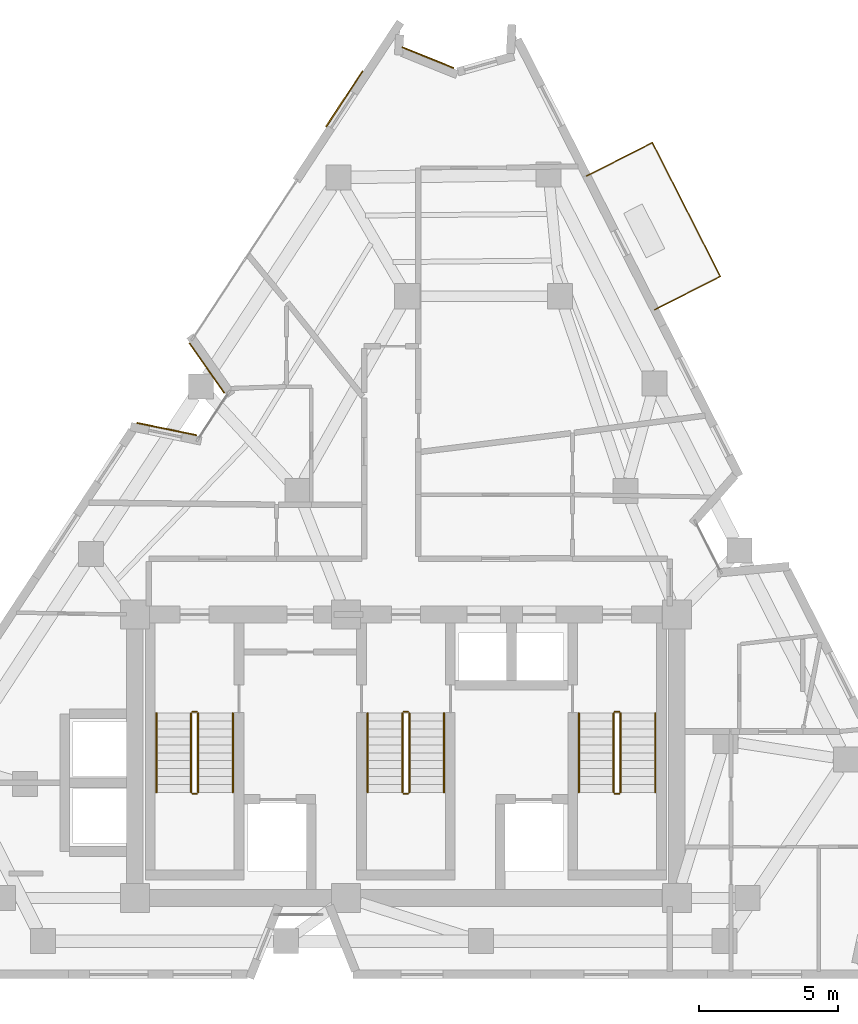
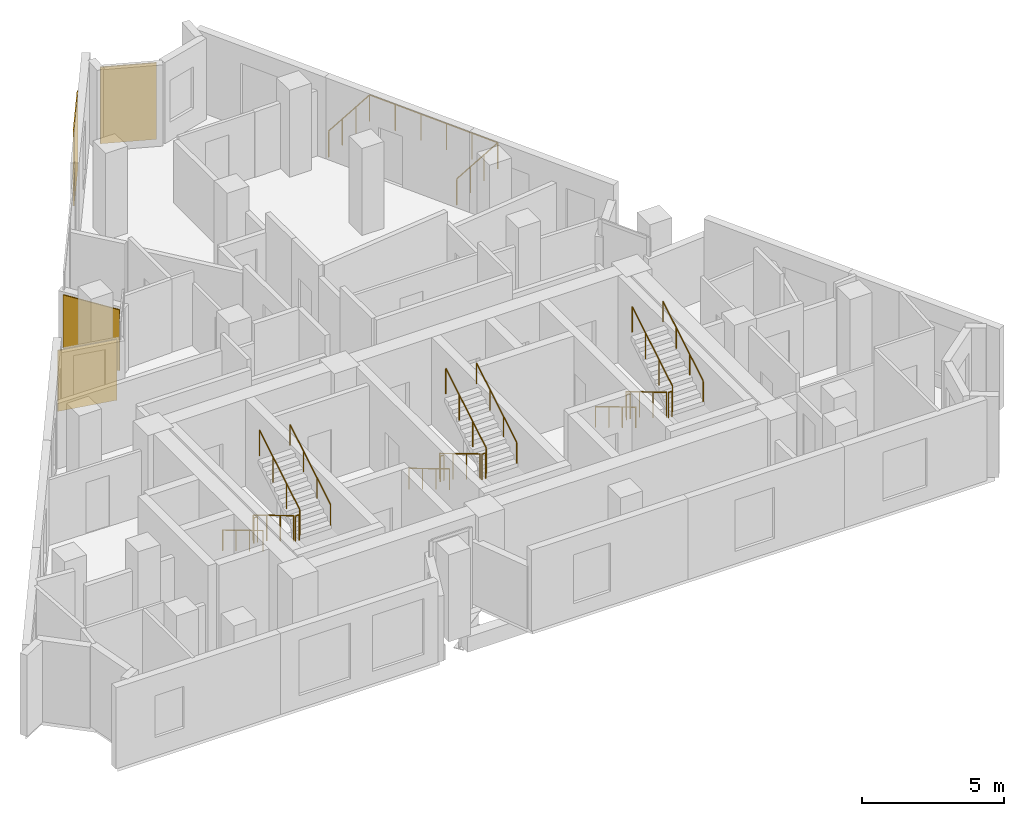
# One storey, part 9 of 9: 19 railings, 4 coverings.
"""IFC4 building model written with IfcOpenShell, lengths in metres."""

from ifc_helpers import new_model, si_unit, direction, frame, origin, origin_2d, place, context, subcontext, project, spatial, rectangle, circle, extrude, material, layer, layer_set, type_object, element, save


model = new_model("IFC4")

# Units and contexts
model_context = context("Model", 3, precision=1e-05, world=origin(), true_north=direction((0.0, 1.0)))
body_context = subcontext(model_context, "Body", "Model", "MODEL_VIEW")
ifc_project = project(units=[si_unit("LENGTHUNIT", "METRE"), si_unit("AREAUNIT", "SQUARE_METRE"), si_unit("VOLUMEUNIT", "CUBIC_METRE"), si_unit("PLANEANGLEUNIT", "RADIAN"), si_unit("MASSUNIT", "GRAM", prefix="KILO")], contexts=[model_context])

# Site, building, storey
site_placement = place(None, origin())
site = spatial("IfcSite", under=ifc_project, at=site_placement, CompositionType="ELEMENT")
building_placement = place(site_placement, origin())
building = spatial("IfcBuilding", under=site, at=building_placement, Name="Almagre Mirador Tower", CompositionType="ELEMENT")
storey_placement = place(building_placement, frame((0.0, 0.0, 237.0)))
storey = spatial("IfcBuildingStorey", under=building, at=storey_placement, Name="L61", CompositionType="ELEMENT", Elevation=237.0)

# Coverings
ifc_material_1 = material(Name="Almagre terracotta architectural cladding", Category="masonry")
ifc_layer = layer(ifc_material_1, 0.044921875)
ifc_layer_set = layer_set([ifc_layer], Name="Almagre terracotta architectural cladding")
covering_type = type_object("IfcCoveringType", Name="COV-CLAD-ALMAGRE", PredefinedType="CLADDING", material=ifc_layer_set)
covering_1_placement = place(storey_placement, frame((28.69921875, 21.4208984375, 0.10009765625), z_axis=(0.0, 0.0, 1.0), x_axis=(0.979515545462, -0.201368558118, 0.0)))
element("IfcCovering", 1, at=covering_1_placement, inside=storey, type_object=covering_type, Name="L61 almagre terracotta pier cladding", PredefinedType="CLADDING", context=body_context, shape_type="SweptSolid", body=[
    extrude(rectangle(XDim=2.194091796875, YDim=0.044921875, at=origin_2d()), origin(), (0.0, 0.0, 1.0), 2.625),
])
covering_2_placement = place(storey_placement, frame((30.14013671875, 23.614501953125, 0.10009765625), z_axis=(0.0, 0.0, 1.0), x_axis=(-0.573590733164, 0.819142033367, 0.0)))
element("IfcCovering", 2, at=covering_2_placement, inside=storey, type_object=covering_type, Name="L61 almagre terracotta pier cladding", PredefinedType="CLADDING", context=body_context, shape_type="SweptSolid", body=[
    extrude(rectangle(XDim=2.193115234375, YDim=0.044921875, at=origin_2d()), origin(), (0.0, 0.0, 1.0), 2.625),
])
covering_3_placement = place(storey_placement, frame((35.08837890625, 33.302734375, 0.10009765625), z_axis=(0.0, 0.0, 1.0), x_axis=(0.549037405505, 0.835797778985, 0.0)))
element("IfcCovering", 3, at=covering_3_placement, inside=storey, type_object=covering_type, Name="L61 almagre terracotta pier cladding", PredefinedType="CLADDING", context=body_context, shape_type="SweptSolid", body=[
    extrude(rectangle(XDim=2.39990234375, YDim=0.044921875, at=origin_2d()), origin(), (0.0, 0.0, 1.0), 3.300048828125),
])
covering_4_placement = place(storey_placement, frame((38.09375, 34.785400390625, 0.10009765625), z_axis=(0.0, 0.0, 1.0), x_axis=(0.927066122682, -0.374897858324, 0.0)))
element("IfcCovering", 4, at=covering_4_placement, inside=storey, type_object=covering_type, Name="L61 almagre terracotta pier cladding", PredefinedType="CLADDING", context=body_context, shape_type="SweptSolid", body=[
    extrude(rectangle(XDim=2.0009765625, YDim=0.044921875, at=origin_2d()), origin(), (0.0, 0.0, 1.0), 3.300048828125),
])

# Railings
ifc_material_2 = material(Name="Black anodized aluminium", Category="aluminium")
railing_type_1 = type_object("IfcRailingType", Name="RLG-BAL-1150", PredefinedType="BALUSTRADE", material=ifc_material_2)
railing_1_placement = place(storey_placement, frame((46.2529296875, 25.712890625, 0.0)))
element("IfcRailing", 5, at=railing_1_placement, inside=storey, type_object=railing_type_1, Name="L61 east balcony balustrade 1", PredefinedType="BALUSTRADE", context=body_context, shape_type="SweptSolid", body=[
    extrude(circle(Radius=0.02392578125, at=origin_2d()), frame((0.0, 0.0, 1.1259765625), z_axis=(0.891515078461, 0.452991020746, 0.0), x_axis=(-0.452991020746, 0.891515078461, 0.0)), (0.0, 0.0, 1.0), 2.6494140625),
    extrude(circle(Radius=0.02392578125, at=origin_2d()), frame((2.362060546875, 1.2001953125, 1.1259765625), z_axis=(-0.452847770217, 0.891587851537, 0.0), x_axis=(-0.891587851537, -0.452847770217, 0.0)), (0.0, 0.0, 1.0), 5.3994140625),
    extrude(circle(Radius=0.02392578125, at=origin_2d()), frame((-0.0830078125, 6.01416015625, 1.1259765625), z_axis=(-0.891627865532, -0.452768980173, 0.0), x_axis=(0.452768980173, -0.891627865532, 0.0)), (0.0, 0.0, 1.0), 2.650146484375),
    extrude(circle(Radius=0.02099609375, at=origin_2d()), origin(), (0.0, 0.0, 1.0), 1.101806640625),
    extrude(circle(Radius=0.02099609375, at=origin_2d()), frame((0.787353515625, 0.400146484375, 0.0)), (0.0, 0.0, 1.0), 1.101806640625),
    extrude(circle(Radius=0.02099609375, at=origin_2d()), frame((1.57470703125, 0.800048828125, 0.0)), (0.0, 0.0, 1.0), 1.101806640625),
    extrude(circle(Radius=0.02099609375, at=origin_2d()), frame((2.362060546875, 1.2001953125, 0.0)), (0.0, 0.0, 1.0), 1.101806640625),
    extrude(circle(Radius=0.02099609375, at=origin_2d()), frame((1.873046875, 2.1630859375, 0.0)), (0.0, 0.0, 1.0), 1.101806640625),
    extrude(circle(Radius=0.02099609375, at=origin_2d()), frame((1.384033203125, 3.125732421875, 0.0)), (0.0, 0.0, 1.0), 1.101806640625),
    extrude(circle(Radius=0.02099609375, at=origin_2d()), frame((0.89501953125, 4.088623046875, 0.0)), (0.0, 0.0, 1.0), 1.101806640625),
    extrude(circle(Radius=0.02099609375, at=origin_2d()), frame((0.406005859375, 5.05126953125, 0.0)), (0.0, 0.0, 1.0), 1.101806640625),
    extrude(circle(Radius=0.02099609375, at=origin_2d()), frame((-0.0830078125, 6.01416015625, 0.0)), (0.0, 0.0, 1.0), 1.101806640625),
    extrude(circle(Radius=0.02099609375, at=origin_2d()), frame((-0.87060546875, 5.6142578125, 0.0)), (0.0, 0.0, 1.0), 1.101806640625),
    extrude(circle(Radius=0.02099609375, at=origin_2d()), frame((-1.658447265625, 5.214111328125, 0.0)), (0.0, 0.0, 1.0), 1.101806640625),
    extrude(circle(Radius=0.02099609375, at=origin_2d()), frame((-2.446044921875, 4.814208984375, 0.0)), (0.0, 0.0, 1.0), 1.101806640625),
])
ifc_material_3 = material(Name="Painted galvanized steel", Category="steel")
railing_type_2 = type_object("IfcRailingType", Name="RLG-GRD-1100", PredefinedType="GUARDRAIL", material=ifc_material_3)
railing_2_placement = place(storey_placement, frame((29.574951171875, 11.199951171875, 0.17041015625)))
element("IfcRailing", 6, at=railing_2_placement, inside=storey, type_object=railing_type_2, Name="L61 ST-1 stair guard 1", PredefinedType="GUARDRAIL", context=body_context, shape_type="SweptSolid", body=[
    extrude(circle(Radius=0.02392578125, at=origin_2d()), frame((0.0, 0.0, 1.09619140625), z_axis=(0.0, -0.858199205511, 0.513316786848), x_axis=(1.0, 0.0, 0.0)), (0.0, 0.0, 1.0), 3.32080078125),
    extrude(circle(Radius=0.02099609375, at=origin_2d()), origin(), (0.0, 0.0, 1.0), 1.072021484375),
    extrude(circle(Radius=0.02099609375, at=origin_2d()), frame((0.0, -0.949951171875, 0.568115234375)), (0.0, 0.0, 1.0), 1.072021484375),
    extrude(circle(Radius=0.02099609375, at=origin_2d()), frame((0.0, -1.89990234375, 1.136474609375)), (0.0, 0.0, 1.0), 1.072021484375),
    extrude(circle(Radius=0.02099609375, at=origin_2d()), frame((0.0, -2.849853515625, 1.70458984375)), (0.0, 0.0, 1.0), 1.072021484375),
])
railing_3_placement = place(storey_placement, frame((29.625, 8.300048828125, 1.875)))
element("IfcRailing", 7, at=railing_3_placement, inside=storey, type_object=railing_type_2, Name="L61 ST-1 stair guard 2", PredefinedType="GUARDRAIL", context=body_context, shape_type="SweptSolid", body=[
    extrude(circle(Radius=0.02392578125, at=origin_2d()), frame((0.0, 0.0, 1.09619140625), z_axis=(1.0, 0.0, 0.0), x_axis=(0.0, 1.0, 0.0)), (0.0, 0.0, 1.0), 0.14990234375),
    extrude(circle(Radius=0.02099609375, at=origin_2d()), origin(), (0.0, 0.0, 1.0), 1.072021484375),
    extrude(circle(Radius=0.02099609375, at=origin_2d()), frame((0.14990234375, 0.0, 0.0)), (0.0, 0.0, 1.0), 1.072021484375),
])
railing_4_placement = place(storey_placement, frame((29.824951171875, 8.35009765625, 2.04541015625)))
element("IfcRailing", 8, at=railing_4_placement, inside=storey, type_object=railing_type_2, Name="L61 ST-1 stair guard 3", PredefinedType="GUARDRAIL", context=body_context, shape_type="SweptSolid", body=[
    extrude(circle(Radius=0.02392578125, at=origin_2d()), frame((0.0, 0.0, 1.09619140625), z_axis=(0.0, 0.858199205511, 0.513316786848), x_axis=(-1.0, 0.0, 0.0)), (0.0, 0.0, 1.0), 3.32080078125),
    extrude(circle(Radius=0.02099609375, at=origin_2d()), origin(), (0.0, 0.0, 1.0), 1.072021484375),
    extrude(circle(Radius=0.02099609375, at=origin_2d()), frame((0.0, 0.949951171875, 0.568115234375)), (0.0, 0.0, 1.0), 1.072021484375),
    extrude(circle(Radius=0.02099609375, at=origin_2d()), frame((0.0, 1.89990234375, 1.136474609375)), (0.0, 0.0, 1.0), 1.072021484375),
    extrude(circle(Radius=0.02099609375, at=origin_2d()), frame((0.0, 2.849853515625, 1.70458984375)), (0.0, 0.0, 1.0), 1.072021484375),
])
railing_5_placement = place(storey_placement, frame((29.625, 11.25, 0.0)))
element("IfcRailing", 9, at=railing_5_placement, inside=storey, type_object=railing_type_2, Name="L61 ST-1 stair guard 4", PredefinedType="GUARDRAIL", context=body_context, shape_type="SweptSolid", body=[
    extrude(circle(Radius=0.02392578125, at=origin_2d()), frame((0.0, 0.0, 1.09619140625), z_axis=(1.0, 0.0, 0.0), x_axis=(0.0, 1.0, 0.0)), (0.0, 0.0, 1.0), 0.14990234375),
    extrude(circle(Radius=0.02099609375, at=origin_2d()), origin(), (0.0, 0.0, 1.0), 1.072021484375),
    extrude(circle(Radius=0.02099609375, at=origin_2d()), frame((0.14990234375, 0.0, 0.0)), (0.0, 0.0, 1.0), 1.072021484375),
])
railing_6_placement = place(storey_placement, frame((37.175048828125, 11.199951171875, 0.17041015625)))
element("IfcRailing", 10, at=railing_6_placement, inside=storey, type_object=railing_type_2, Name="L61 ST-2 stair guard 1", PredefinedType="GUARDRAIL", context=body_context, shape_type="SweptSolid", body=[
    extrude(circle(Radius=0.02392578125, at=origin_2d()), frame((0.0, 0.0, 1.09619140625), z_axis=(0.0, -0.858199205511, 0.513316786848), x_axis=(1.0, 0.0, 0.0)), (0.0, 0.0, 1.0), 3.32080078125),
    extrude(circle(Radius=0.02099609375, at=origin_2d()), origin(), (0.0, 0.0, 1.0), 1.072021484375),
    extrude(circle(Radius=0.02099609375, at=origin_2d()), frame((0.0, -0.949951171875, 0.568115234375)), (0.0, 0.0, 1.0), 1.072021484375),
    extrude(circle(Radius=0.02099609375, at=origin_2d()), frame((0.0, -1.89990234375, 1.136474609375)), (0.0, 0.0, 1.0), 1.072021484375),
    extrude(circle(Radius=0.02099609375, at=origin_2d()), frame((0.0, -2.849853515625, 1.70458984375)), (0.0, 0.0, 1.0), 1.072021484375),
])
railing_7_placement = place(storey_placement, frame((37.22509765625, 8.300048828125, 1.875)))
element("IfcRailing", 11, at=railing_7_placement, inside=storey, type_object=railing_type_2, Name="L61 ST-2 stair guard 2", PredefinedType="GUARDRAIL", context=body_context, shape_type="SweptSolid", body=[
    extrude(circle(Radius=0.02392578125, at=origin_2d()), frame((0.0, 0.0, 1.09619140625), z_axis=(1.0, 0.0, 0.0), x_axis=(0.0, 1.0, 0.0)), (0.0, 0.0, 1.0), 0.14990234375),
    extrude(circle(Radius=0.02099609375, at=origin_2d()), origin(), (0.0, 0.0, 1.0), 1.072021484375),
    extrude(circle(Radius=0.02099609375, at=origin_2d()), frame((0.14990234375, 0.0, 0.0)), (0.0, 0.0, 1.0), 1.072021484375),
])
railing_8_placement = place(storey_placement, frame((37.425048828125, 8.35009765625, 2.04541015625)))
element("IfcRailing", 12, at=railing_8_placement, inside=storey, type_object=railing_type_2, Name="L61 ST-2 stair guard 3", PredefinedType="GUARDRAIL", context=body_context, shape_type="SweptSolid", body=[
    extrude(circle(Radius=0.02392578125, at=origin_2d()), frame((0.0, 0.0, 1.09619140625), z_axis=(0.0, 0.858199205511, 0.513316786848), x_axis=(-1.0, 0.0, 0.0)), (0.0, 0.0, 1.0), 3.32080078125),
    extrude(circle(Radius=0.02099609375, at=origin_2d()), origin(), (0.0, 0.0, 1.0), 1.072021484375),
    extrude(circle(Radius=0.02099609375, at=origin_2d()), frame((0.0, 0.949951171875, 0.568115234375)), (0.0, 0.0, 1.0), 1.072021484375),
    extrude(circle(Radius=0.02099609375, at=origin_2d()), frame((0.0, 1.89990234375, 1.136474609375)), (0.0, 0.0, 1.0), 1.072021484375),
    extrude(circle(Radius=0.02099609375, at=origin_2d()), frame((0.0, 2.849853515625, 1.70458984375)), (0.0, 0.0, 1.0), 1.072021484375),
])
railing_9_placement = place(storey_placement, frame((37.22509765625, 11.25, 0.0)))
element("IfcRailing", 13, at=railing_9_placement, inside=storey, type_object=railing_type_2, Name="L61 ST-2 stair guard 4", PredefinedType="GUARDRAIL", context=body_context, shape_type="SweptSolid", body=[
    extrude(circle(Radius=0.02392578125, at=origin_2d()), frame((0.0, 0.0, 1.09619140625), z_axis=(1.0, 0.0, 0.0), x_axis=(0.0, 1.0, 0.0)), (0.0, 0.0, 1.0), 0.14990234375),
    extrude(circle(Radius=0.02099609375, at=origin_2d()), origin(), (0.0, 0.0, 1.0), 1.072021484375),
    extrude(circle(Radius=0.02099609375, at=origin_2d()), frame((0.14990234375, 0.0, 0.0)), (0.0, 0.0, 1.0), 1.072021484375),
])
railing_10_placement = place(storey_placement, frame((44.77490234375, 11.199951171875, 0.17041015625)))
element("IfcRailing", 14, at=railing_10_placement, inside=storey, type_object=railing_type_2, Name="L61 ST-3 stair guard 1", PredefinedType="GUARDRAIL", context=body_context, shape_type="SweptSolid", body=[
    extrude(circle(Radius=0.02392578125, at=origin_2d()), frame((0.0, 0.0, 1.09619140625), z_axis=(0.0, -0.858199205511, 0.513316786848), x_axis=(1.0, 0.0, 0.0)), (0.0, 0.0, 1.0), 3.32080078125),
    extrude(circle(Radius=0.02099609375, at=origin_2d()), origin(), (0.0, 0.0, 1.0), 1.072021484375),
    extrude(circle(Radius=0.02099609375, at=origin_2d()), frame((0.0, -0.949951171875, 0.568115234375)), (0.0, 0.0, 1.0), 1.072021484375),
    extrude(circle(Radius=0.02099609375, at=origin_2d()), frame((0.0, -1.89990234375, 1.136474609375)), (0.0, 0.0, 1.0), 1.072021484375),
    extrude(circle(Radius=0.02099609375, at=origin_2d()), frame((0.0, -2.849853515625, 1.70458984375)), (0.0, 0.0, 1.0), 1.072021484375),
])
railing_11_placement = place(storey_placement, frame((44.824951171875, 8.300048828125, 1.875)))
element("IfcRailing", 15, at=railing_11_placement, inside=storey, type_object=railing_type_2, Name="L61 ST-3 stair guard 2", PredefinedType="GUARDRAIL", context=body_context, shape_type="SweptSolid", body=[
    extrude(circle(Radius=0.02392578125, at=origin_2d()), frame((0.0, 0.0, 1.09619140625), z_axis=(1.0, 0.0, 0.0), x_axis=(0.0, 1.0, 0.0)), (0.0, 0.0, 1.0), 0.150146484375),
    extrude(circle(Radius=0.02099609375, at=origin_2d()), origin(), (0.0, 0.0, 1.0), 1.072021484375),
    extrude(circle(Radius=0.02099609375, at=origin_2d()), frame((0.150146484375, 0.0, 0.0)), (0.0, 0.0, 1.0), 1.072021484375),
])
railing_12_placement = place(storey_placement, frame((45.02490234375, 8.35009765625, 2.04541015625)))
element("IfcRailing", 16, at=railing_12_placement, inside=storey, type_object=railing_type_2, Name="L61 ST-3 stair guard 3", PredefinedType="GUARDRAIL", context=body_context, shape_type="SweptSolid", body=[
    extrude(circle(Radius=0.02392578125, at=origin_2d()), frame((0.0, 0.0, 1.09619140625), z_axis=(0.0, 0.858199205511, 0.513316786848), x_axis=(-1.0, 0.0, 0.0)), (0.0, 0.0, 1.0), 3.32080078125),
    extrude(circle(Radius=0.02099609375, at=origin_2d()), origin(), (0.0, 0.0, 1.0), 1.072021484375),
    extrude(circle(Radius=0.02099609375, at=origin_2d()), frame((0.0, 0.949951171875, 0.568115234375)), (0.0, 0.0, 1.0), 1.072021484375),
    extrude(circle(Radius=0.02099609375, at=origin_2d()), frame((0.0, 1.89990234375, 1.136474609375)), (0.0, 0.0, 1.0), 1.072021484375),
    extrude(circle(Radius=0.02099609375, at=origin_2d()), frame((0.0, 2.849853515625, 1.70458984375)), (0.0, 0.0, 1.0), 1.072021484375),
])
railing_13_placement = place(storey_placement, frame((44.824951171875, 11.25, 0.0)))
element("IfcRailing", 17, at=railing_13_placement, inside=storey, type_object=railing_type_2, Name="L61 ST-3 stair guard 4", PredefinedType="GUARDRAIL", context=body_context, shape_type="SweptSolid", body=[
    extrude(circle(Radius=0.02392578125, at=origin_2d()), frame((0.0, 0.0, 1.09619140625), z_axis=(1.0, 0.0, 0.0), x_axis=(0.0, 1.0, 0.0)), (0.0, 0.0, 1.0), 0.150146484375),
    extrude(circle(Radius=0.02099609375, at=origin_2d()), origin(), (0.0, 0.0, 1.0), 1.072021484375),
    extrude(circle(Radius=0.02099609375, at=origin_2d()), frame((0.150146484375, 0.0, 0.0)), (0.0, 0.0, 1.0), 1.072021484375),
])
ifc_material_4 = material(Name="Brushed stainless steel", Category="steel")
railing_type_3 = type_object("IfcRailingType", Name="RLG-HND-915", PredefinedType="HANDRAIL", material=ifc_material_4)
railing_14_placement = place(storey_placement, frame((28.324951171875, 11.199951171875, 0.17041015625)))
element("IfcRailing", 18, at=railing_14_placement, inside=storey, type_object=railing_type_3, Name="L61 ST-1 stair handrail 1", PredefinedType="HANDRAIL", context=body_context, shape_type="SweptSolid", body=[
    extrude(circle(Radius=0.02392578125, at=origin_2d()), frame((0.0, 0.0, 0.89111328125), z_axis=(0.0, -0.858199205511, 0.513316786848), x_axis=(1.0, 0.0, 0.0)), (0.0, 0.0, 1.0), 3.32080078125),
    extrude(circle(Radius=0.02099609375, at=origin_2d()), origin(), (0.0, 0.0, 1.0), 0.866943359375),
    extrude(circle(Radius=0.02099609375, at=origin_2d()), frame((0.0, -0.949951171875, 0.568115234375)), (0.0, 0.0, 1.0), 0.866943359375),
    extrude(circle(Radius=0.02099609375, at=origin_2d()), frame((0.0, -1.89990234375, 1.136474609375)), (0.0, 0.0, 1.0), 0.866943359375),
    extrude(circle(Radius=0.02099609375, at=origin_2d()), frame((0.0, -2.849853515625, 1.70458984375)), (0.0, 0.0, 1.0), 0.866943359375),
])
railing_15_placement = place(storey_placement, frame((31.074951171875, 8.35009765625, 2.04541015625)))
element("IfcRailing", 19, at=railing_15_placement, inside=storey, type_object=railing_type_3, Name="L61 ST-1 stair handrail 2", PredefinedType="HANDRAIL", context=body_context, shape_type="SweptSolid", body=[
    extrude(circle(Radius=0.02392578125, at=origin_2d()), frame((0.0, 0.0, 0.89111328125), z_axis=(0.0, 0.858199205511, 0.513316786848), x_axis=(-1.0, 0.0, 0.0)), (0.0, 0.0, 1.0), 3.32080078125),
    extrude(circle(Radius=0.02099609375, at=origin_2d()), origin(), (0.0, 0.0, 1.0), 0.866943359375),
    extrude(circle(Radius=0.02099609375, at=origin_2d()), frame((0.0, 0.949951171875, 0.568115234375)), (0.0, 0.0, 1.0), 0.866943359375),
    extrude(circle(Radius=0.02099609375, at=origin_2d()), frame((0.0, 1.89990234375, 1.136474609375)), (0.0, 0.0, 1.0), 0.866943359375),
    extrude(circle(Radius=0.02099609375, at=origin_2d()), frame((0.0, 2.849853515625, 1.70458984375)), (0.0, 0.0, 1.0), 0.866943359375),
])
railing_16_placement = place(storey_placement, frame((35.925048828125, 11.199951171875, 0.17041015625)))
element("IfcRailing", 20, at=railing_16_placement, inside=storey, type_object=railing_type_3, Name="L61 ST-2 stair handrail 1", PredefinedType="HANDRAIL", context=body_context, shape_type="SweptSolid", body=[
    extrude(circle(Radius=0.02392578125, at=origin_2d()), frame((0.0, 0.0, 0.89111328125), z_axis=(0.0, -0.858199205511, 0.513316786848), x_axis=(1.0, 0.0, 0.0)), (0.0, 0.0, 1.0), 3.32080078125),
    extrude(circle(Radius=0.02099609375, at=origin_2d()), origin(), (0.0, 0.0, 1.0), 0.866943359375),
    extrude(circle(Radius=0.02099609375, at=origin_2d()), frame((0.0, -0.949951171875, 0.568115234375)), (0.0, 0.0, 1.0), 0.866943359375),
    extrude(circle(Radius=0.02099609375, at=origin_2d()), frame((0.0, -1.89990234375, 1.136474609375)), (0.0, 0.0, 1.0), 0.866943359375),
    extrude(circle(Radius=0.02099609375, at=origin_2d()), frame((0.0, -2.849853515625, 1.70458984375)), (0.0, 0.0, 1.0), 0.866943359375),
])
railing_17_placement = place(storey_placement, frame((38.675048828125, 8.35009765625, 2.04541015625)))
element("IfcRailing", 21, at=railing_17_placement, inside=storey, type_object=railing_type_3, Name="L61 ST-2 stair handrail 2", PredefinedType="HANDRAIL", context=body_context, shape_type="SweptSolid", body=[
    extrude(circle(Radius=0.02392578125, at=origin_2d()), frame((0.0, 0.0, 0.89111328125), z_axis=(0.0, 0.858199205511, 0.513316786848), x_axis=(-1.0, 0.0, 0.0)), (0.0, 0.0, 1.0), 3.32080078125),
    extrude(circle(Radius=0.02099609375, at=origin_2d()), origin(), (0.0, 0.0, 1.0), 0.866943359375),
    extrude(circle(Radius=0.02099609375, at=origin_2d()), frame((0.0, 0.949951171875, 0.568115234375)), (0.0, 0.0, 1.0), 0.866943359375),
    extrude(circle(Radius=0.02099609375, at=origin_2d()), frame((0.0, 1.89990234375, 1.136474609375)), (0.0, 0.0, 1.0), 0.866943359375),
    extrude(circle(Radius=0.02099609375, at=origin_2d()), frame((0.0, 2.849853515625, 1.70458984375)), (0.0, 0.0, 1.0), 0.866943359375),
])
railing_18_placement = place(storey_placement, frame((43.52490234375, 11.199951171875, 0.17041015625)))
element("IfcRailing", 22, at=railing_18_placement, inside=storey, type_object=railing_type_3, Name="L61 ST-3 stair handrail 1", PredefinedType="HANDRAIL", context=body_context, shape_type="SweptSolid", body=[
    extrude(circle(Radius=0.02392578125, at=origin_2d()), frame((0.0, 0.0, 0.89111328125), z_axis=(0.0, -0.858199205511, 0.513316786848), x_axis=(1.0, 0.0, 0.0)), (0.0, 0.0, 1.0), 3.32080078125),
    extrude(circle(Radius=0.02099609375, at=origin_2d()), origin(), (0.0, 0.0, 1.0), 0.866943359375),
    extrude(circle(Radius=0.02099609375, at=origin_2d()), frame((0.0, -0.949951171875, 0.568115234375)), (0.0, 0.0, 1.0), 0.866943359375),
    extrude(circle(Radius=0.02099609375, at=origin_2d()), frame((0.0, -1.89990234375, 1.136474609375)), (0.0, 0.0, 1.0), 0.866943359375),
    extrude(circle(Radius=0.02099609375, at=origin_2d()), frame((0.0, -2.849853515625, 1.70458984375)), (0.0, 0.0, 1.0), 0.866943359375),
])
railing_19_placement = place(storey_placement, frame((46.27490234375, 8.35009765625, 2.04541015625)))
element("IfcRailing", 23, at=railing_19_placement, inside=storey, type_object=railing_type_3, Name="L61 ST-3 stair handrail 2", PredefinedType="HANDRAIL", context=body_context, shape_type="SweptSolid", body=[
    extrude(circle(Radius=0.02392578125, at=origin_2d()), frame((0.0, 0.0, 0.89111328125), z_axis=(0.0, 0.858199205511, 0.513316786848), x_axis=(-1.0, 0.0, 0.0)), (0.0, 0.0, 1.0), 3.32080078125),
    extrude(circle(Radius=0.02099609375, at=origin_2d()), origin(), (0.0, 0.0, 1.0), 0.866943359375),
    extrude(circle(Radius=0.02099609375, at=origin_2d()), frame((0.0, 0.949951171875, 0.568115234375)), (0.0, 0.0, 1.0), 0.866943359375),
    extrude(circle(Radius=0.02099609375, at=origin_2d()), frame((0.0, 1.89990234375, 1.136474609375)), (0.0, 0.0, 1.0), 0.866943359375),
    extrude(circle(Radius=0.02099609375, at=origin_2d()), frame((0.0, 2.849853515625, 1.70458984375)), (0.0, 0.0, 1.0), 0.866943359375),
])

save(model, "model.ifc")
